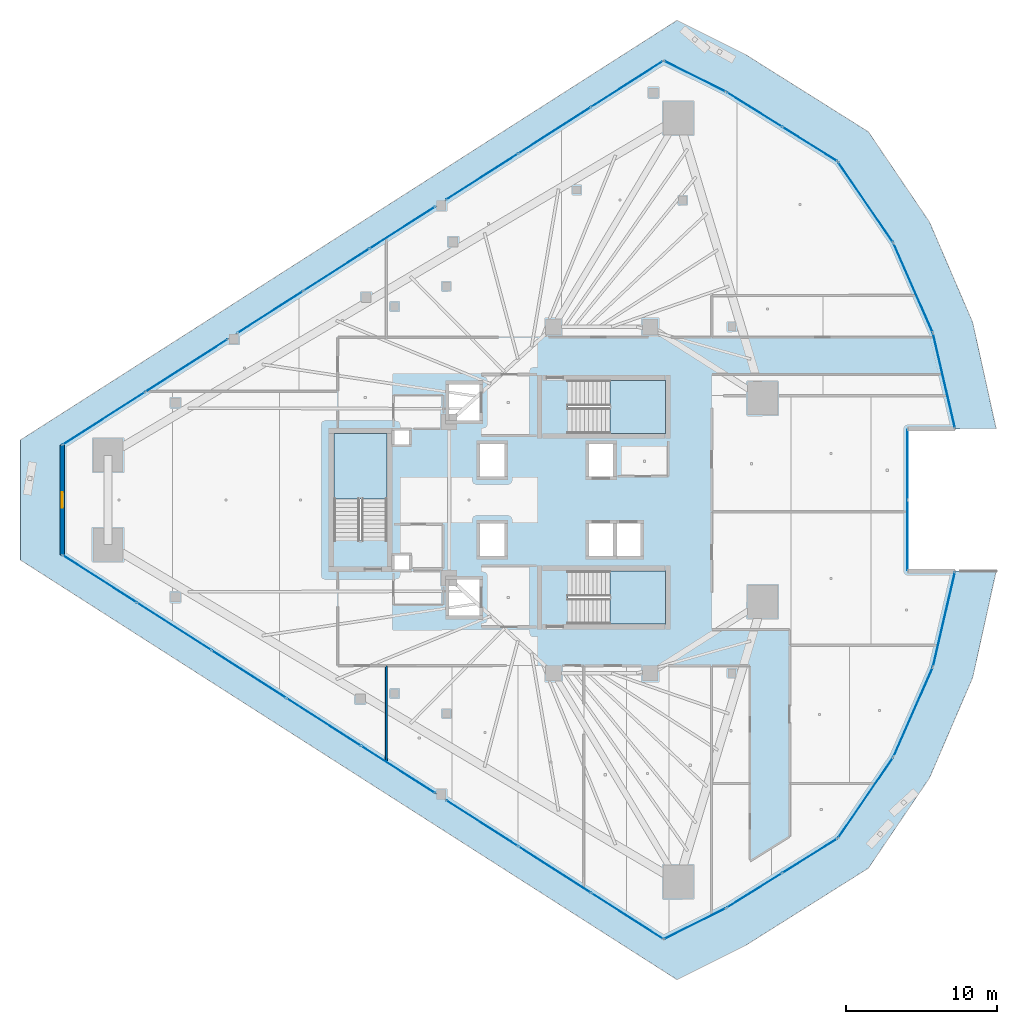
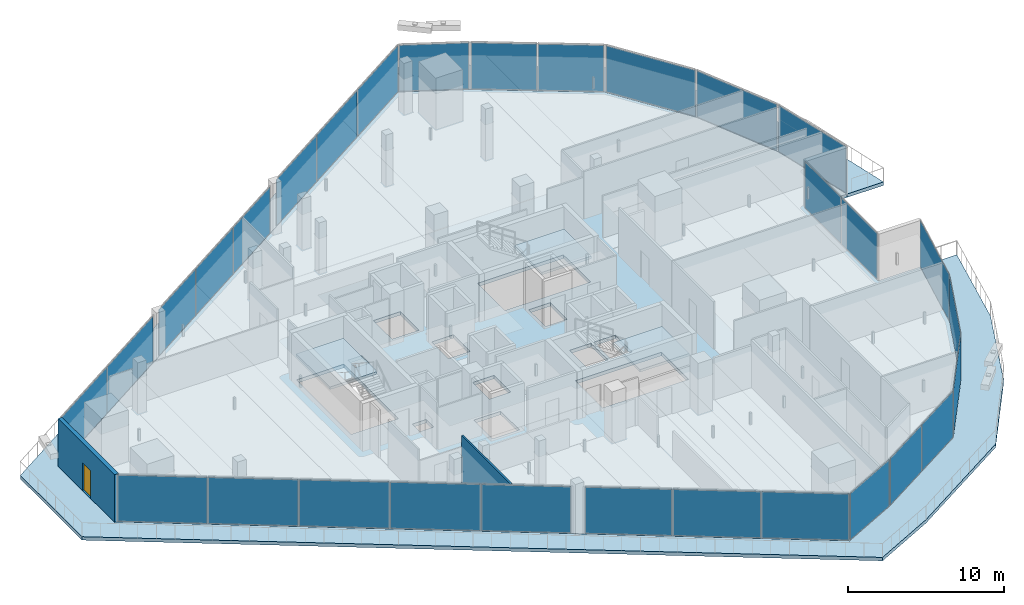
# One storey, part 23 of 36: 30 plates, 5 slabs, 2 walls, 1 door, 1 opening, 19 elements without a shape of their own.
"""IFC4 building model written with IfcOpenShell, lengths in metres."""

from ifc_helpers import new_model, si_unit, direction, frame, frame_2d, origin, origin_2d, place, context, subcontext, project, spatial, polyline, rectangle, outline, extrude, material, layer, layer_set, type_object, element, fill, aggregate, save


model = new_model("IFC4")

# Units and contexts
model_context = context("Model", 3, precision=1e-05, world=origin(), true_north=direction((0.0, 1.0)))
body_context = subcontext(model_context, "Body", "Model", "MODEL_VIEW")
ifc_project = project(units=[si_unit("LENGTHUNIT", "METRE"), si_unit("AREAUNIT", "SQUARE_METRE"), si_unit("VOLUMEUNIT", "CUBIC_METRE"), si_unit("PLANEANGLEUNIT", "RADIAN"), si_unit("MASSUNIT", "GRAM", prefix="KILO")], contexts=[model_context])

# Site, building, storey
site_placement = place(None, origin())
site = spatial("IfcSite", under=ifc_project, at=site_placement, CompositionType="ELEMENT")
building_placement = place(site_placement, origin())
building = spatial("IfcBuilding", under=site, at=building_placement, Name="Qorvath Tower", CompositionType="ELEMENT")
storey_placement = place(building_placement, frame((0.0, 0.0, 170.550048828125)))
storey = spatial("IfcBuildingStorey", under=building, at=storey_placement, Name="L39", CompositionType="ELEMENT", Elevation=170.550048828125)

# Curtain wall, plates
ifc_material_1 = material(Name="Anodised aluminium and triple low-E glass", Category="aluminium")
ifc_layer_1 = layer(ifc_material_1, 0.179931640625)
ifc_layer_set_1 = layer_set([ifc_layer_1], Name="CW-SYS-3")
curtain_wall_type = type_object("IfcCurtainWallType", Name="CW-SYS-3", PredefinedType="NOTDEFINED", material=ifc_layer_set_1)
curtain_wall_1_placement = place(storey_placement, origin())
curtain_wall_1 = element("IfcCurtainWall", 1, at=curtain_wall_1_placement, inside=storey, type_object=curtain_wall_type, Name="Curtain Wall CW-3 CW-T-L39-2.1", PredefinedType="NOTDEFINED")
ifc_material_2 = material(Name="Low-E triple insulated glass", Category="glass")
ifc_layer_2 = layer(ifc_material_2, 0.031982421875)
ifc_layer_set_2 = layer_set([ifc_layer_2], Name="CWP-GLZ-32")
plate_type = type_object("IfcPlateType", Name="CWP-GLZ-32", PredefinedType="CURTAIN_PANEL", material=ifc_layer_set_2)
plate_1_placement = place(storey_placement, frame((-53.597900390625, -5.2177734375, 0.06494140625), z_axis=(0.0, 0.0, 1.0), x_axis=(0.842606848992, -0.538529198867, 0.0)))
plate_1 = element("IfcPlate", 2, at=plate_1_placement, type_object=plate_type, Name="CW-3 panel 1.1", PredefinedType="CURTAIN_PANEL", context=body_context, shape_type="SweptSolid", body=[
    extrude(rectangle(XDim=5.76416015625, YDim=0.031982421875, at=origin_2d()), origin(), (0.0, 0.0, 1.0), 3.6201171875),
])
plate_2_placement = place(storey_placement, frame((-48.672607421875, -8.365478515625, 0.06494140625), z_axis=(0.0, 0.0, 1.0), x_axis=(0.842606848992, -0.538529198867, 0.0)))
plate_2 = element("IfcPlate", 3, at=plate_2_placement, type_object=plate_type, Name="CW-3 panel 2.1", PredefinedType="CURTAIN_PANEL", context=body_context, shape_type="SweptSolid", body=[
    extrude(rectangle(XDim=5.796630859375, YDim=0.031982421875, at=origin_2d()), origin(), (0.0, 0.0, 1.0), 3.6201171875),
])
plate_3_placement = place(storey_placement, frame((-43.733642578125, -11.522216796875, 0.06494140625), z_axis=(0.0, 0.0, 1.0), x_axis=(0.842606848992, -0.538529198867, 0.0)))
plate_3 = element("IfcPlate", 4, at=plate_3_placement, type_object=plate_type, Name="CW-3 panel 3.1", PredefinedType="CURTAIN_PANEL", context=body_context, shape_type="SweptSolid", body=[
    extrude(rectangle(XDim=5.796630859375, YDim=0.031982421875, at=origin_2d()), origin(), (0.0, 0.0, 1.0), 3.6201171875),
])
plate_4_placement = place(storey_placement, frame((-38.79443359375, -14.678955078125, 0.06494140625), z_axis=(0.0, 0.0, 1.0), x_axis=(0.842606848992, -0.538529198867, 0.0)))
plate_4 = element("IfcPlate", 5, at=plate_4_placement, type_object=plate_type, Name="CW-3 panel 4.1", PredefinedType="CURTAIN_PANEL", context=body_context, shape_type="SweptSolid", body=[
    extrude(rectangle(XDim=5.796630859375, YDim=0.031982421875, at=origin_2d()), origin(), (0.0, 0.0, 1.0), 3.6201171875),
])
plate_5_placement = place(storey_placement, frame((-33.869140625, -17.82666015625, 0.06494140625), z_axis=(0.0, 0.0, 1.0), x_axis=(0.842606848992, -0.538529198867, 0.0)))
plate_5 = element("IfcPlate", 6, at=plate_5_placement, type_object=plate_type, Name="CW-3 panel 5.1", PredefinedType="CURTAIN_PANEL", context=body_context, shape_type="SweptSolid", body=[
    extrude(rectangle(XDim=5.76416015625, YDim=0.031982421875, at=origin_2d()), origin(), (0.0, 0.0, 1.0), 3.6201171875),
])
aggregate(curtain_wall_1, [plate_1, plate_2, plate_3, plate_4, plate_5])

curtain_wall_2_placement = place(storey_placement, origin())
curtain_wall_2 = element("IfcCurtainWall", 7, at=curtain_wall_2_placement, inside=storey, type_object=curtain_wall_type, Name="Curtain Wall CW-3 CW-T-L39-2.2", PredefinedType="NOTDEFINED")
plate_6_placement = place(storey_placement, frame((-28.31787109375, -21.37451171875, 0.06494140625), z_axis=(0.0, 0.0, 1.0), x_axis=(0.842603503645, -0.53853443311, 0.0)))
plate_6 = element("IfcPlate", 8, at=plate_6_placement, type_object=plate_type, Name="CW-3 panel 1.1", PredefinedType="CURTAIN_PANEL", context=body_context, shape_type="SweptSolid", body=[
    extrude(rectangle(XDim=5.605224609375, YDim=0.031982421875, at=origin_2d()), origin(), (0.0, 0.0, 1.0), 3.6201171875),
])
plate_7_placement = place(storey_placement, frame((-23.5263671875, -24.43701171875, 0.06494140625), z_axis=(0.0, 0.0, 1.0), x_axis=(0.842603503645, -0.53853443311, 0.0)))
plate_7 = element("IfcPlate", 9, at=plate_7_placement, type_object=plate_type, Name="CW-3 panel 2.1", PredefinedType="CURTAIN_PANEL", context=body_context, shape_type="SweptSolid", body=[
    extrude(rectangle(XDim=5.6376953125, YDim=0.031982421875, at=origin_2d()), origin(), (0.0, 0.0, 1.0), 3.6201171875),
])
plate_8_placement = place(storey_placement, frame((-18.73486328125, -27.499267578125, 0.06494140625), z_axis=(0.0, 0.0, 1.0), x_axis=(0.842603503645, -0.53853443311, 0.0)))
plate_8 = element("IfcPlate", 10, at=plate_8_placement, type_object=plate_type, Name="CW-3 panel 3.1", PredefinedType="CURTAIN_PANEL", context=body_context, shape_type="SweptSolid", body=[
    extrude(rectangle(XDim=5.605224609375, YDim=0.031982421875, at=origin_2d()), origin(), (0.0, 0.0, 1.0), 3.6201171875),
])
aggregate(curtain_wall_2, [plate_6, plate_7, plate_8])

# Curtain wall, plate
curtain_wall_3_placement = place(storey_placement, origin())
curtain_wall_3 = element("IfcCurtainWall", 11, at=curtain_wall_3_placement, inside=storey, type_object=curtain_wall_type, Name="Curtain Wall CW-3 CW-T-L39-3.1", PredefinedType="NOTDEFINED")
plate_9_placement = place(storey_placement, frame((-14.244140625, -28.00634765625, 0.06494140625), z_axis=(0.0, 0.0, 1.0), x_axis=(0.894422879346, 0.447222218703, 0.0)))
plate_9 = element("IfcPlate", 12, at=plate_9_placement, type_object=plate_type, Name="CW-3 panel 1.1", PredefinedType="CURTAIN_PANEL", context=body_context, shape_type="SweptSolid", body=[
    extrude(rectangle(XDim=4.508544921875, YDim=0.031982421875, at=origin_2d()), origin(), (0.0, 0.0, 1.0), 3.6201171875),
])
aggregate(curtain_wall_3, [plate_9])

# Curtain wall, plates
curtain_wall_4_placement = place(storey_placement, origin())
curtain_wall_4 = element("IfcCurtainWall", 13, at=curtain_wall_4_placement, inside=storey, type_object=curtain_wall_type, Name="Curtain Wall CW-3 CW-T-L39-4.1", PredefinedType="NOTDEFINED")
plate_10_placement = place(storey_placement, frame((-10.313232421875, -25.81103515625, 0.06494140625), z_axis=(0.0, 0.0, 1.0), x_axis=(0.848417096178, 0.529328282744, 0.0)))
plate_10 = element("IfcPlate", 14, at=plate_10_placement, type_object=plate_type, Name="CW-3 panel 1.1", PredefinedType="CURTAIN_PANEL", context=body_context, shape_type="SweptSolid", body=[
    extrude(rectangle(XDim=4.24609375, YDim=0.031982421875, at=origin_2d()), origin(), (0.0, 0.0, 1.0), 3.6201171875),
])
plate_11_placement = place(storey_placement, frame((-6.65576171875, -23.529052734375, 0.06494140625), z_axis=(0.0, 0.0, 1.0), x_axis=(0.848417096178, 0.529328282744, 0.0)))
plate_11 = element("IfcPlate", 15, at=plate_11_placement, type_object=plate_type, Name="CW-3 panel 2.1", PredefinedType="CURTAIN_PANEL", context=body_context, shape_type="SweptSolid", body=[
    extrude(rectangle(XDim=4.24609375, YDim=0.031982421875, at=origin_2d()), origin(), (0.0, 0.0, 1.0), 3.6201171875),
])
aggregate(curtain_wall_4, [plate_10, plate_11])

# Curtain wall, plate
curtain_wall_5_placement = place(storey_placement, origin())
curtain_wall_5 = element("IfcCurtainWall", 16, at=curtain_wall_5_placement, inside=storey, type_object=curtain_wall_type, Name="Curtain Wall CW-3 CW-T-L39-5.1", PredefinedType="NOTDEFINED")
plate_12_placement = place(storey_placement, frame((-2.9638671875, -19.68603515625, 0.06494140625), z_axis=(0.0, 0.0, 1.0), x_axis=(0.564365862971, 0.82552478625, 0.0)))
plate_12 = element("IfcPlate", 17, at=plate_12_placement, type_object=plate_type, Name="CW-3 panel 1.1", PredefinedType="CURTAIN_PANEL", context=body_context, shape_type="SweptSolid", body=[
    extrude(rectangle(XDim=6.37451171875, YDim=0.031982421875, at=origin_2d()), origin(), (0.0, 0.0, 1.0), 3.6201171875),
])
aggregate(curtain_wall_5, [plate_12])

curtain_wall_6_placement = place(storey_placement, origin())
curtain_wall_6 = element("IfcCurtainWall", 18, at=curtain_wall_6_placement, inside=storey, type_object=curtain_wall_type, Name="Curtain Wall CW-3 CW-T-L39-6.1", PredefinedType="NOTDEFINED")
plate_13_placement = place(storey_placement, frame((0.17919921875, -14.023193359375, 0.06494140625), z_axis=(0.0, 0.0, 1.0), x_axis=(0.402023385597, 0.915629399612, 0.0)))
plate_13 = element("IfcPlate", 19, at=plate_13_placement, type_object=plate_type, Name="CW-3 panel 1.1", PredefinedType="CURTAIN_PANEL", context=body_context, shape_type="SweptSolid", body=[
    extrude(rectangle(XDim=6.37451171875, YDim=0.031982421875, at=origin_2d()), origin(), (0.0, 0.0, 1.0), 3.6201171875),
])
aggregate(curtain_wall_6, [plate_13])

curtain_wall_7_placement = place(storey_placement, origin())
curtain_wall_7 = element("IfcCurtainWall", 20, at=curtain_wall_7_placement, inside=storey, type_object=curtain_wall_type, Name="Curtain Wall CW-3 CW-T-L39-7.1", PredefinedType="NOTDEFINED")
plate_14_placement = place(storey_placement, frame((2.220947265625, -7.876953125, 0.06494140625), z_axis=(0.0, 0.0, 1.0), x_axis=(0.225791317315, 0.974175693099, 0.0)))
plate_14 = element("IfcPlate", 21, at=plate_14_placement, type_object=plate_type, Name="CW-3 panel 1.1", PredefinedType="CURTAIN_PANEL", context=body_context, shape_type="SweptSolid", body=[
    extrude(rectangle(XDim=6.374755859375, YDim=0.031982421875, at=origin_2d()), origin(), (0.0, 0.0, 1.0), 3.6201171875),
])
aggregate(curtain_wall_7, [plate_14])

# Curtain wall, plates
curtain_wall_8_placement = place(storey_placement, origin())
curtain_wall_8 = element("IfcCurtainWall", 22, at=curtain_wall_8_placement, inside=storey, type_object=curtain_wall_type, Name="Curtain Wall CW-3 CW-T-L39-9.1", PredefinedType="NOTDEFINED")
plate_15_placement = place(storey_placement, frame((-0.183837890625, -2.338134765625, 0.06494140625), z_axis=(0.0, 0.0, 1.0), x_axis=(0.0, 1.0, 0.0)))
plate_15 = element("IfcPlate", 23, at=plate_15_placement, type_object=plate_type, Name="CW-3 panel 1.1", PredefinedType="CURTAIN_PANEL", context=body_context, shape_type="SweptSolid", body=[
    extrude(rectangle(XDim=4.611083984375, YDim=0.031982421875, at=origin_2d()), origin(), (0.0, 0.0, 1.0), 3.6201171875),
])
plate_16_placement = place(storey_placement, frame((-0.183837890625, 2.338134765625, 0.06494140625), z_axis=(0.0, 0.0, 1.0), x_axis=(0.0, 1.0, 0.0)))
plate_16 = element("IfcPlate", 24, at=plate_16_placement, type_object=plate_type, Name="CW-3 panel 2.1", PredefinedType="CURTAIN_PANEL", context=body_context, shape_type="SweptSolid", body=[
    extrude(rectangle(XDim=4.611083984375, YDim=0.031982421875, at=origin_2d()), origin(), (0.0, 0.0, 1.0), 3.6201171875),
])
aggregate(curtain_wall_8, [plate_15, plate_16])

# Curtain wall, plate
curtain_wall_9_placement = place(storey_placement, origin())
curtain_wall_9 = element("IfcCurtainWall", 25, at=curtain_wall_9_placement, inside=storey, type_object=curtain_wall_type, Name="Curtain Wall CW-3 CW-T-L39-11.1", PredefinedType="NOTDEFINED")
plate_17_placement = place(storey_placement, frame((2.220947265625, 7.876953125, 0.06494140625), z_axis=(0.0, 0.0, 1.0), x_axis=(-0.225791317315, 0.974175693099, 0.0)))
plate_17 = element("IfcPlate", 26, at=plate_17_placement, type_object=plate_type, Name="CW-3 panel 1.1", PredefinedType="CURTAIN_PANEL", context=body_context, shape_type="SweptSolid", body=[
    extrude(rectangle(XDim=6.374755859375, YDim=0.031982421875, at=origin_2d()), origin(), (0.0, 0.0, 1.0), 3.6201171875),
])
aggregate(curtain_wall_9, [plate_17])

curtain_wall_10_placement = place(storey_placement, origin())
curtain_wall_10 = element("IfcCurtainWall", 27, at=curtain_wall_10_placement, inside=storey, type_object=curtain_wall_type, Name="Curtain Wall CW-3 CW-T-L39-12.1", PredefinedType="NOTDEFINED")
plate_18_placement = place(storey_placement, frame((0.17919921875, 14.023193359375, 0.06494140625), z_axis=(0.0, 0.0, 1.0), x_axis=(-0.402023385597, 0.915629399612, 0.0)))
plate_18 = element("IfcPlate", 28, at=plate_18_placement, type_object=plate_type, Name="CW-3 panel 1.1", PredefinedType="CURTAIN_PANEL", context=body_context, shape_type="SweptSolid", body=[
    extrude(rectangle(XDim=6.37451171875, YDim=0.031982421875, at=origin_2d()), origin(), (0.0, 0.0, 1.0), 3.6201171875),
])
aggregate(curtain_wall_10, [plate_18])

curtain_wall_11_placement = place(storey_placement, origin())
curtain_wall_11 = element("IfcCurtainWall", 29, at=curtain_wall_11_placement, inside=storey, type_object=curtain_wall_type, Name="Curtain Wall CW-3 CW-T-L39-13.1", PredefinedType="NOTDEFINED")
plate_19_placement = place(storey_placement, frame((-2.9638671875, 19.68603515625, 0.06494140625), z_axis=(0.0, 0.0, 1.0), x_axis=(-0.564365862971, 0.82552478625, 0.0)))
plate_19 = element("IfcPlate", 30, at=plate_19_placement, type_object=plate_type, Name="CW-3 panel 1.1", PredefinedType="CURTAIN_PANEL", context=body_context, shape_type="SweptSolid", body=[
    extrude(rectangle(XDim=6.37451171875, YDim=0.031982421875, at=origin_2d()), origin(), (0.0, 0.0, 1.0), 3.6201171875),
])
aggregate(curtain_wall_11, [plate_19])

# Curtain wall, plates
curtain_wall_12_placement = place(storey_placement, origin())
curtain_wall_12 = element("IfcCurtainWall", 31, at=curtain_wall_12_placement, inside=storey, type_object=curtain_wall_type, Name="Curtain Wall CW-3 CW-T-L39-14.1", PredefinedType="NOTDEFINED")
plate_20_placement = place(storey_placement, frame((-6.65576171875, 23.529052734375, 0.06494140625), z_axis=(0.0, 0.0, 1.0), x_axis=(-0.848417096178, 0.529328282744, 0.0)))
plate_20 = element("IfcPlate", 32, at=plate_20_placement, type_object=plate_type, Name="CW-3 panel 1.1", PredefinedType="CURTAIN_PANEL", context=body_context, shape_type="SweptSolid", body=[
    extrude(rectangle(XDim=4.24609375, YDim=0.031982421875, at=origin_2d()), origin(), (0.0, 0.0, 1.0), 3.6201171875),
])
plate_21_placement = place(storey_placement, frame((-10.313232421875, 25.81103515625, 0.06494140625), z_axis=(0.0, 0.0, 1.0), x_axis=(-0.848417096178, 0.529328282744, 0.0)))
plate_21 = element("IfcPlate", 33, at=plate_21_placement, type_object=plate_type, Name="CW-3 panel 2.1", PredefinedType="CURTAIN_PANEL", context=body_context, shape_type="SweptSolid", body=[
    extrude(rectangle(XDim=4.24609375, YDim=0.031982421875, at=origin_2d()), origin(), (0.0, 0.0, 1.0), 3.6201171875),
])
aggregate(curtain_wall_12, [plate_20, plate_21])

# Curtain wall, plate
curtain_wall_13_placement = place(storey_placement, origin())
curtain_wall_13 = element("IfcCurtainWall", 34, at=curtain_wall_13_placement, inside=storey, type_object=curtain_wall_type, Name="Curtain Wall CW-3 CW-T-L39-15.1", PredefinedType="NOTDEFINED")
plate_22_placement = place(storey_placement, frame((-14.244140625, 28.00634765625, 0.06494140625), z_axis=(0.0, 0.0, 1.0), x_axis=(-0.894422879346, 0.447222218703, 0.0)))
plate_22 = element("IfcPlate", 35, at=plate_22_placement, type_object=plate_type, Name="CW-3 panel 1.1", PredefinedType="CURTAIN_PANEL", context=body_context, shape_type="SweptSolid", body=[
    extrude(rectangle(XDim=4.508544921875, YDim=0.031982421875, at=origin_2d()), origin(), (0.0, 0.0, 1.0), 3.6201171875),
])
aggregate(curtain_wall_13, [plate_22])

# Curtain wall, plates
curtain_wall_14_placement = place(storey_placement, origin())
curtain_wall_14 = element("IfcCurtainWall", 36, at=curtain_wall_14_placement, inside=storey, type_object=curtain_wall_type, Name="Curtain Wall CW-3 CW-T-L39-16.1", PredefinedType="NOTDEFINED")
plate_23_placement = place(storey_placement, frame((-18.73486328125, 27.499267578125, 0.06494140625), z_axis=(0.0, 0.0, 1.0), x_axis=(-0.842603503645, -0.53853443311, 0.0)))
plate_23 = element("IfcPlate", 37, at=plate_23_placement, type_object=plate_type, Name="CW-3 panel 1.1", PredefinedType="CURTAIN_PANEL", context=body_context, shape_type="SweptSolid", body=[
    extrude(rectangle(XDim=5.605224609375, YDim=0.031982421875, at=origin_2d()), origin(), (0.0, 0.0, 1.0), 3.6201171875),
])
plate_24_placement = place(storey_placement, frame((-23.5263671875, 24.43701171875, 0.06494140625), z_axis=(0.0, 0.0, 1.0), x_axis=(-0.842603503645, -0.53853443311, 0.0)))
plate_24 = element("IfcPlate", 38, at=plate_24_placement, type_object=plate_type, Name="CW-3 panel 2.1", PredefinedType="CURTAIN_PANEL", context=body_context, shape_type="SweptSolid", body=[
    extrude(rectangle(XDim=5.6376953125, YDim=0.031982421875, at=origin_2d()), origin(), (0.0, 0.0, 1.0), 3.6201171875),
])
plate_25_placement = place(storey_placement, frame((-28.31787109375, 21.37451171875, 0.06494140625), z_axis=(0.0, 0.0, 1.0), x_axis=(-0.842603503645, -0.53853443311, 0.0)))
plate_25 = element("IfcPlate", 39, at=plate_25_placement, type_object=plate_type, Name="CW-3 panel 3.1", PredefinedType="CURTAIN_PANEL", context=body_context, shape_type="SweptSolid", body=[
    extrude(rectangle(XDim=5.605224609375, YDim=0.031982421875, at=origin_2d()), origin(), (0.0, 0.0, 1.0), 3.6201171875),
])
aggregate(curtain_wall_14, [plate_23, plate_24, plate_25])

curtain_wall_15_placement = place(storey_placement, origin())
curtain_wall_15 = element("IfcCurtainWall", 40, at=curtain_wall_15_placement, inside=storey, type_object=curtain_wall_type, Name="Curtain Wall CW-3 CW-T-L39-16.2", PredefinedType="NOTDEFINED")
plate_26_placement = place(storey_placement, frame((-33.587890625, 18.00634765625, 0.06494140625), z_axis=(0.0, 0.0, 1.0), x_axis=(-0.842601780156, -0.538537129711, 0.0)))
plate_26 = element("IfcPlate", 41, at=plate_26_placement, type_object=plate_type, Name="CW-3 panel 1.1", PredefinedType="CURTAIN_PANEL", context=body_context, shape_type="SweptSolid", body=[
    extrude(rectangle(XDim=5.0966796875, YDim=0.031982421875, at=origin_2d()), origin(), (0.0, 0.0, 1.0), 3.6201171875),
])
plate_27_placement = place(storey_placement, frame((-37.95068359375, 15.218017578125, 0.06494140625), z_axis=(0.0, 0.0, 1.0), x_axis=(-0.842601780156, -0.538537129711, 0.0)))
plate_27 = element("IfcPlate", 42, at=plate_27_placement, type_object=plate_type, Name="CW-3 panel 2.1", PredefinedType="CURTAIN_PANEL", context=body_context, shape_type="SweptSolid", body=[
    extrude(rectangle(XDim=5.129150390625, YDim=0.031982421875, at=origin_2d()), origin(), (0.0, 0.0, 1.0), 3.6201171875),
])
plate_28_placement = place(storey_placement, frame((-42.313720703125, 12.429443359375, 0.06494140625), z_axis=(0.0, 0.0, 1.0), x_axis=(-0.842601780156, -0.538537129711, 0.0)))
plate_28 = element("IfcPlate", 43, at=plate_28_placement, type_object=plate_type, Name="CW-3 panel 3.1", PredefinedType="CURTAIN_PANEL", context=body_context, shape_type="SweptSolid", body=[
    extrude(rectangle(XDim=5.0966796875, YDim=0.031982421875, at=origin_2d()), origin(), (0.0, 0.0, 1.0), 3.6201171875),
])
aggregate(curtain_wall_15, [plate_26, plate_27, plate_28])

curtain_wall_16_placement = place(storey_placement, origin())
curtain_wall_16 = element("IfcCurtainWall", 44, at=curtain_wall_16_placement, inside=storey, type_object=curtain_wall_type, Name="Curtain Wall CW-3 CW-T-L39-16.3", PredefinedType="NOTDEFINED")
plate_29_placement = place(storey_placement, frame((-47.863525390625, 8.882568359375, 0.06494140625), z_axis=(0.0, 0.0, 1.0), x_axis=(-0.842610617449, -0.538523302525, 0.0)))
plate_29 = element("IfcPlate", 45, at=plate_29_placement, type_object=plate_type, Name="CW-3 panel 1.1", PredefinedType="CURTAIN_PANEL", context=body_context, shape_type="SweptSolid", body=[
    extrude(rectangle(XDim=6.4150390625, YDim=0.031982421875, at=origin_2d()), origin(), (0.0, 0.0, 1.0), 3.6201171875),
])
plate_30_placement = place(storey_placement, frame((-53.32373046875, 5.392822265625, 0.06494140625), z_axis=(0.0, 0.0, 1.0), x_axis=(-0.842610617449, -0.538523302525, 0.0)))
plate_30 = element("IfcPlate", 46, at=plate_30_placement, type_object=plate_type, Name="CW-3 panel 2.1", PredefinedType="CURTAIN_PANEL", context=body_context, shape_type="SweptSolid", body=[
    extrude(rectangle(XDim=6.4150390625, YDim=0.031982421875, at=origin_2d()), origin(), (0.0, 0.0, 1.0), 3.6201171875),
])
aggregate(curtain_wall_16, [plate_29, plate_30])

# Stair, slab
ifc_material_3 = material(Name="Concrete C50/60", Category="concrete")
stair_type = type_object("IfcStairType", Name="ST-H405", PredefinedType="HALF_TURN_STAIR", material=ifc_material_3)
stair_1_placement = place(storey_placement, origin())
stair_1 = element("IfcStair", 47, at=stair_1_placement, inside=storey, type_object=stair_type, Name="L39 Tower Exit Stair 1", PredefinedType="HALF_TURN_STAIR")
ifc_material_4 = material(Name="Concrete C50/60", Category="concrete")
ifc_layer_3 = layer(ifc_material_4, 0.199951171875)
ifc_layer_set_3 = layer_set([ifc_layer_3], Name="SL-LND-200")
slab_type_1 = type_object("IfcSlabType", Name="SL-LND-200", PredefinedType="LANDING", material=ifc_layer_set_3)
slab_1_placement = place(storey_placement, frame((0.0, 0.0, 1.824951171875)))
slab_1 = element("IfcSlab", 48, at=slab_1_placement, type_object=slab_type_1, Name="TS1 landing 1", PredefinedType="LANDING", context=body_context, shape_type="SweptSolid", body=[
    extrude(outline(polyline([(-19.8701171875, 4.39990234375), (-16.199951171875, 4.39990234375), (-16.199951171875, 7.909912109375), (-19.8701171875, 7.909912109375), (-19.8701171875, 4.39990234375)])), origin(), (0.0, 0.0, 1.0), 0.199951171875),
])
aggregate(stair_1, [slab_1])

stair_2_placement = place(storey_placement, origin())
stair_2 = element("IfcStair", 49, at=stair_2_placement, inside=storey, type_object=stair_type, Name="L39 Tower Exit Stair 2", PredefinedType="HALF_TURN_STAIR")
slab_2_placement = place(storey_placement, frame((0.0, 0.0, 1.824951171875)))
slab_2 = element("IfcSlab", 50, at=slab_2_placement, type_object=slab_type_1, Name="TS2 landing 1", PredefinedType="LANDING", context=body_context, shape_type="SweptSolid", body=[
    extrude(outline(polyline([(-19.8701171875, -8.199951171875), (-16.199951171875, -8.199951171875), (-16.199951171875, -4.68994140625), (-19.8701171875, -4.68994140625), (-19.8701171875, -8.199951171875)])), origin(), (0.0, 0.0, 1.0), 0.199951171875),
])
aggregate(stair_2, [slab_2])

stair_3_placement = place(storey_placement, origin())
stair_3 = element("IfcStair", 51, at=stair_3_placement, inside=storey, type_object=stair_type, Name="L39 Tower Exit Stair 3", PredefinedType="HALF_TURN_STAIR")
slab_3_placement = place(storey_placement, frame((0.0, 0.0, 1.824951171875)))
slab_3 = element("IfcSlab", 52, at=slab_3_placement, type_object=slab_type_1, Name="TS3 landing 1", PredefinedType="LANDING", context=body_context, shape_type="SweptSolid", body=[
    extrude(outline(polyline([(-34.60009765625, 0.080078125), (-34.60009765625, 4.39990234375), (-38.110107421875, 4.39990234375), (-38.110107421875, 0.080078125), (-34.60009765625, 0.080078125)])), origin(), (0.0, 0.0, 1.0), 0.199951171875),
])
aggregate(stair_3, [slab_3])

# Slabs
ifc_material_5 = material(Name="Precast concrete C45/55", Category="concrete")
ifc_layer_4 = layer(ifc_material_5, 0.27001953125)
ifc_layer_set_4 = layer_set([ifc_layer_4], Name="SL-LOG-270")
slab_type_2 = type_object("IfcSlabType", Name="SL-LOG-270", PredefinedType="FLOOR", material=ifc_layer_set_4)
slab_4_placement = place(storey_placement, frame((0.0, 0.0, -0.27001953125)))
element("IfcSlab", 53, at=slab_4_placement, inside=storey, type_object=slab_type_2, Name="Tower L39 Perimeter Loggia and Terrace Slab", PredefinedType="FLOOR", context=body_context, shape_type="SweptSolid", body=[
    extrude(outline(polyline([(2.955322265625, -4.708740234375), (1.486572265625, -11.04541015625), (-1.12841796875, -17.001220703125), (-4.79931640625, -22.370849609375), (-12.169677734375, -26.96923828125), (-16.318603515625, -29.043701171875), (-56.0810546875, -3.630615234375), (-56.0810546875, 3.630615234375), (-16.318603515625, 29.043701171875), (-12.169677734375, 26.96923828125), (-4.79931640625, 22.370849609375), (-1.12841796875, 17.001220703125), (1.486572265625, 11.04541015625), (2.955322265625, 4.708740234375), (5.671630859375, 4.708740234375), (4.113525390625, 11.7490234375), (1.26171875, 18.371826171875), (-2.781982421875, 24.341796875), (-10.89892578125, 29.447021484375), (-15.42919921875, 31.712158203125), (-58.844482421875, 3.964111328125), (-58.844482421875, -3.964111328125), (-15.42919921875, -31.712158203125), (-10.89892578125, -29.447021484375), (-2.781982421875, -24.341796875), (1.26171875, -18.371826171875), (4.113525390625, -11.7490234375), (5.671630859375, -4.708740234375), (2.955322265625, -4.708740234375)])), origin(), (0.0, 0.0, 1.0), 0.27001953125),
])
ifc_material_6 = material(Name="Concrete C45/55", Category="concrete")
ifc_layer_5 = layer(ifc_material_6, 0.27001953125)
ifc_layer_set_5 = layer_set([ifc_layer_5], Name="SL-MID-270")
slab_type_3 = type_object("IfcSlabType", Name="SL-MID-270", PredefinedType="FLOOR", material=ifc_layer_set_5)
slab_5_placement = place(storey_placement, frame((0.0, 0.0, -0.27001953125)))
element("IfcSlab", 54, at=slab_5_placement, inside=storey, type_object=slab_type_3, Name="Tower L39 Interior Floor Slab", PredefinedType="FLOOR", context=body_context, shape_type="SweptSolid", body=[
    extrude(outline(polyline([(-56.0810546875, 3.630615234375), (-56.0810546875, -3.630615234375), (-16.318603515625, -29.043701171875), (-12.169677734375, -26.96923828125), (-4.79931640625, -22.370849609375), (-1.12841796875, -17.001220703125), (1.486572265625, -11.04541015625), (2.955322265625, -4.708740234375), (-0.183837890625, -4.708740234375), (-0.183837890625, 4.708740234375), (2.955322265625, 4.708740234375), (1.486572265625, 11.04541015625), (-1.12841796875, 17.001220703125), (-4.79931640625, 22.370849609375), (-12.169677734375, 26.96923828125), (-16.318603515625, 29.043701171875), (-56.0810546875, 3.630615234375)]), holes=[polyline([(-16.2451171875, -8.199951171875), (-22.625, -8.199951171875), (-22.625, -4.68994140625), (-16.2451171875, -4.68994140625), (-16.2451171875, -8.199951171875)]), polyline([(-22.625, 4.39990234375), (-22.625, 7.909912109375), (-16.2451171875, 7.909912109375), (-16.2451171875, 4.39990234375), (-22.625, 4.39990234375)]), polyline([(-17.85009765625, -3.699951171875), (-19.449951171875, -3.699951171875), (-19.449951171875, -1.550048828125), (-17.85009765625, -1.550048828125), (-17.85009765625, -3.699951171875)]), polyline([(-21.25, -3.699951171875), (-21.25, -1.550048828125), (-19.64990234375, -1.550048828125), (-19.64990234375, -3.699951171875), (-21.25, -3.699951171875)]), polyline([(-21.25, 1.550048828125), (-21.25, 3.699951171875), (-19.64990234375, 3.699951171875), (-19.64990234375, 1.550048828125), (-21.25, 1.550048828125)]), polyline([(-28.449951171875, -3.699951171875), (-28.449951171875, -1.550048828125), (-26.85009765625, -1.550048828125), (-26.85009765625, -3.699951171875), (-28.449951171875, -3.699951171875)]), polyline([(-26.85009765625, 1.550048828125), (-28.449951171875, 1.550048828125), (-28.449951171875, 3.699951171875), (-26.85009765625, 3.699951171875), (-26.85009765625, 1.550048828125)]), polyline([(-28.5, -7.64990234375), (-30.5, -7.64990234375), (-30.5, -5.25), (-28.5, -5.25), (-28.5, -7.64990234375)]), polyline([(-30.5, 5.25), (-30.5, 7.64990234375), (-28.5, 7.64990234375), (-28.5, 5.25), (-30.5, 5.25)]), polyline([(-34.14990234375, -4.6201171875), (-34.14990234375, -3.64990234375), (-33.10009765625, -3.64990234375), (-33.10009765625, -4.6201171875), (-34.14990234375, -4.6201171875)]), polyline([(-34.14990234375, 3.64990234375), (-34.14990234375, 4.6201171875), (-33.10009765625, 4.6201171875), (-33.10009765625, 3.64990234375), (-34.14990234375, 3.64990234375)]), polyline([(-34.60009765625, -2.675048828125), (-38.110107421875, -2.675048828125), (-38.110107421875, 4.35498046875), (-34.60009765625, 4.35498046875), (-34.60009765625, -2.675048828125)])]), origin(), (0.0, 0.0, 1.0), 0.27001953125),
])

# Wall
ifc_material_7 = material(Name="Gypsum board on metal studs with mineral wool", Category="gypsum")
ifc_layer_6 = layer(ifc_material_7, 0.125)
ifc_layer_set_6 = layer_set([ifc_layer_6], Name="IW-PART-125")
wall_type_1 = type_object("IfcWallType", Name="IW-PART-125", PredefinedType="PARTITIONING", material=ifc_layer_set_6)
wall_1_placement = place(storey_placement, frame((-34.64990234375, -10.98291015625, 0.0), z_axis=(0.0, 0.0, 1.0), x_axis=(0.0, -1.0, 0.0)))
element("IfcWall", 55, at=wall_1_placement, inside=storey, type_object=wall_type_1, Name="Interior Partition IW-T1-L39-025", PredefinedType="PARTITIONING", context=body_context, shape_type="SweptSolid", body=[
    extrude(rectangle(XDim=6.264892578125, YDim=0.125, at=frame_2d((3.13232421875, 0.0))), origin(), (0.0, 0.0, 1.0), 3.75),
])

# Wall, opening, door
ifc_material_8 = material(Name="Precast concrete C45/55", Category="concrete")
ifc_layer_7 = layer(ifc_material_8, 0.300048828125)
ifc_layer_set_7 = layer_set([ifc_layer_7], Name="WL-EW-LOG-300")
wall_type_2 = type_object("IfcWallType", Name="WL-EW-LOG-300", PredefinedType="SOLIDWALL", material=ifc_layer_set_7)
wall_2_placement = place(storey_placement, frame((-56.0810546875, -3.630615234375, 0.0), z_axis=(0.0, 0.0, 1.0), x_axis=(0.0, 1.0, 0.0)))
wall_2 = element("IfcWall", 56, at=wall_2_placement, inside=storey, type_object=wall_type_2, Name="Tower Precast Loggia Wall L39-1.1", PredefinedType="SOLIDWALL", context=body_context, shape_type="SweptSolid", body=[
    extrude(rectangle(XDim=7.26123046875, YDim=0.300048828125, at=frame_2d((3.630615234375, 0.0))), origin(), (0.0, 0.0, 1.0), 3.75),
])
opening_placement = place(wall_2_placement, frame((3.105712890625, 0.0, 0.0)))
opening = element("IfcOpeningElement", 57, at=opening_placement, cuts=wall_2, Name="Opening ED-L39-01", PredefinedType="OPENING", context=body_context, shape_type="SweptSolid", body=[
    extrude(rectangle(XDim=1.050048828125, YDim=2.199951171875, at=frame_2d((0.52490234375, 1.10009765625))), frame((0.0, 0.16015625, 0.0), z_axis=(0.0, -1.0, 0.0), x_axis=(1.0, 0.0, 0.0)), (0.0, 0.0, 1.0), 0.320068359375),
])
ifc_material_9 = material(Name="Thermally broken aluminium glazed door", Category="aluminium")
door_type = type_object("IfcDoorType", Name="ED-LOG", OperationType="NOTDEFINED", PredefinedType="DOOR", material=ifc_material_9)
door_placement = place(opening_placement, origin())
door = element("IfcDoor", 58, at=door_placement, inside=storey, type_object=door_type, Name="L39 Recessed Loggia Access Door 1", OperationType="SINGLE_SWING_LEFT", OverallHeight=2.199951171875, OverallWidth=1.050048828125, PredefinedType="DOOR", context=body_context, shape_type="SweptSolid", body=[
    extrude(rectangle(XDim=1.050048828125, YDim=2.199951171875, at=frame_2d((0.52490234375, 1.10009765625))), frame((0.0, 0.02490234375, 0.0), z_axis=(0.0, -1.0, 0.0), x_axis=(1.0, 0.0, 0.0)), (0.0, 0.0, 1.0), 0.050048828125),
])
fill(opening, door)

save(model, "model.ifc")
